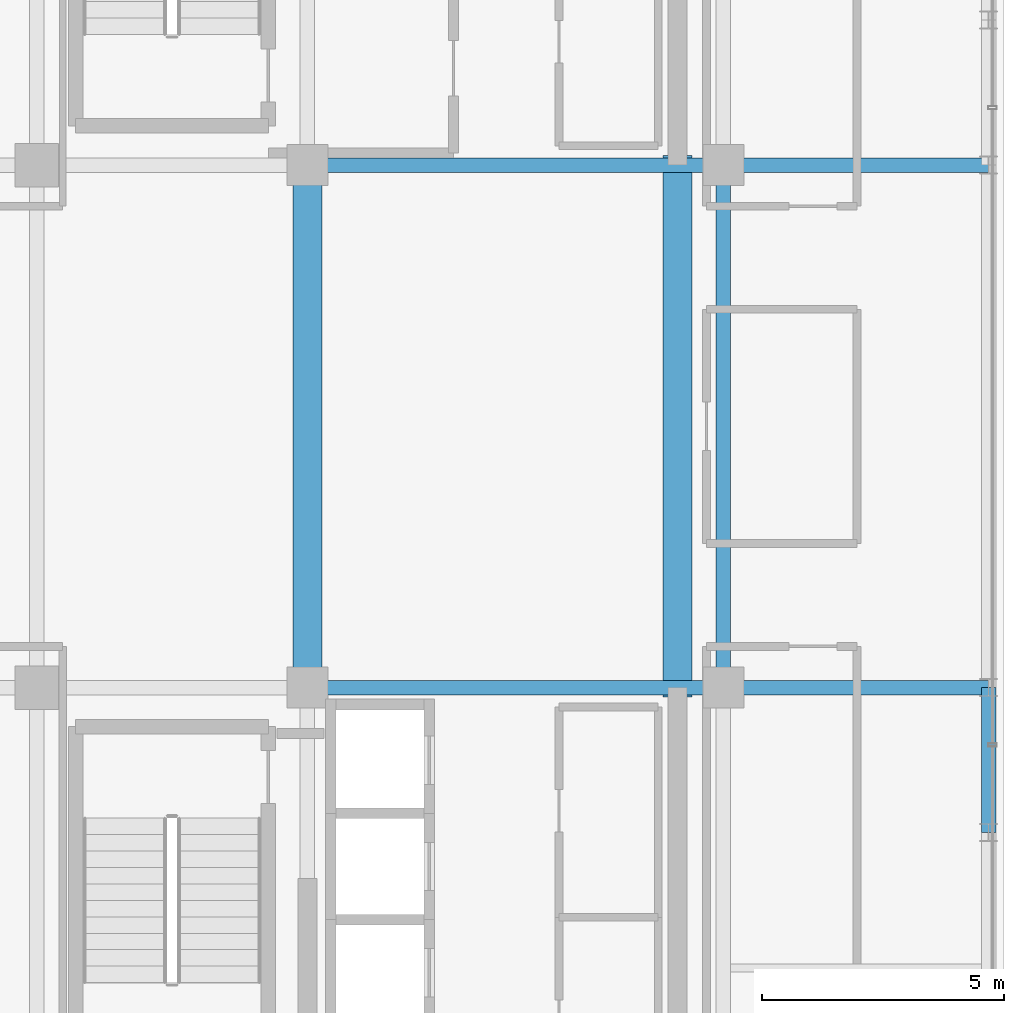
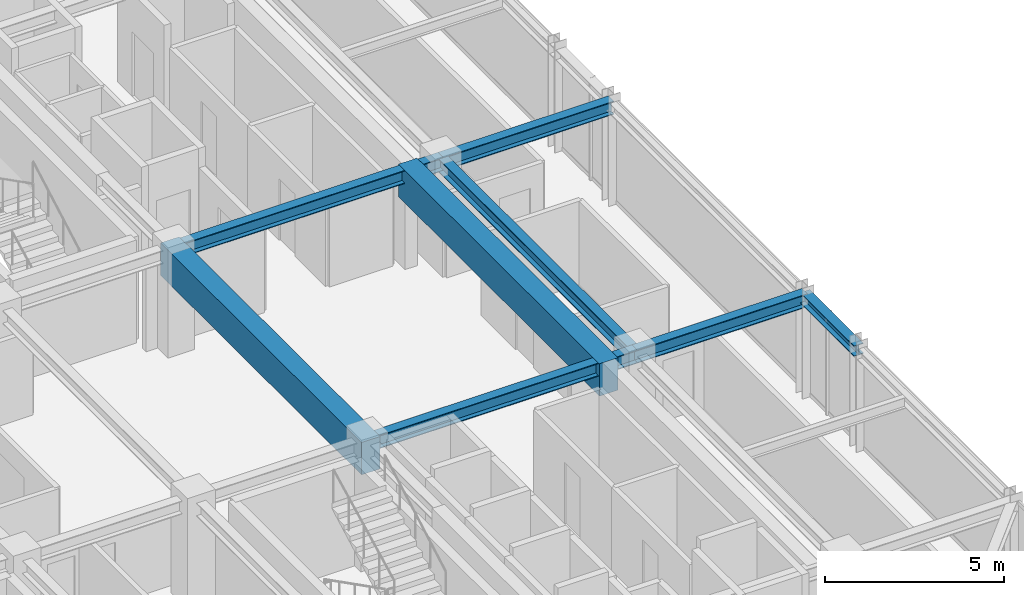
# One storey, part 15 of 31: 8 beams.
"""IFC4 building model written with IfcOpenShell, lengths in metres."""

from ifc_helpers import new_model, si_unit, direction, frame, origin, origin_2d, place, context, subcontext, project, spatial, rectangle, i_section, extrude, source, transform, mapped, material, material_profile, profile_set, type_object, element, save


model = new_model("IFC4")

# Units and contexts
model_context = context("Model", 3, precision=1e-05, world=origin(), true_north=direction((0.0, 1.0)))
body_context = subcontext(model_context, "Body", "Model", "MODEL_VIEW")
ifc_project = project(units=[si_unit("LENGTHUNIT", "METRE"), si_unit("AREAUNIT", "SQUARE_METRE"), si_unit("VOLUMEUNIT", "CUBIC_METRE"), si_unit("PLANEANGLEUNIT", "RADIAN"), si_unit("MASSUNIT", "GRAM", prefix="KILO")], contexts=[model_context])

# Site, building, storey
site_placement = place(None, origin())
site = spatial("IfcSite", under=ifc_project, at=site_placement, CompositionType="ELEMENT")
building_placement = place(site_placement, origin())
building = spatial("IfcBuilding", under=site, at=building_placement, Name="Nahalor Promenade Grand Hotel", CompositionType="ELEMENT")
storey_placement = place(building_placement, frame((0.0, 0.0, 323.35009765625)))
storey = spatial("IfcBuildingStorey", under=building, at=storey_placement, Name="L83", CompositionType="ELEMENT", Elevation=323.35009765625)

# Beams
ifc_material_1 = material(Name="Concrete B-60 (C50/60)", Category="concrete")
ifc_material_profile_1 = material_profile(ifc_material_1, rectangle(XDim=0.6, YDim=1.1, at=origin_2d()), Name="RC 600x1100")
ifc_profile_set_1 = profile_set([ifc_material_profile_1], Name="Concrete B-60 (C50/60)")
beam_type_1 = type_object("IfcBeamType", Name="Beam-Lintel-RC1100", PredefinedType="LINTEL", material=ifc_profile_set_1)
shared_shape_1 = source(origin(), body_context, "Body", "SweptSolid", [
    extrude(rectangle(XDim=0.6, YDim=1.1, at=origin_2d()), origin(), (0.0, 0.0, 1.0), 11.2001953125),
])
for number, where, z_axis, x_axis, name in (
    (1, (8.39990234375, -5.60009765625, 2.949951171875), (0.0, 1.0, 0.0), (-1.0, 0.0, 0.0), "BM-L83-LINT-W"),
    (2, (16.050048828125, -5.60009765625, 2.949951171875), (0.0, 1.0, 0.0), (-1.0, 0.0, 0.0), "BM-L83-LINT-E"),
):
    element("IfcBeam", number, at=place(storey_placement, frame(where, z_axis=z_axis, x_axis=x_axis)), inside=storey, type_object=beam_type_1, Name=name, PredefinedType="LINTEL", context=body_context, shape_type="MappedRepresentation", body=[
        mapped(shared_shape_1, transform((0.0, 0.0, 0.0), scale=1.0)),
    ])
ifc_material_2 = material(Name="Steel S355JR", Category="steel")
ifc_material_profile_2 = material_profile(ifc_material_2, i_section(OverallWidth=0.3, OverallDepth=0.45, WebThickness=0.014, FlangeThickness=0.026, at=origin_2d()), Name="HEB 450")
ifc_profile_set_2 = profile_set([ifc_material_profile_2], Name="Steel S355JR")
beam_type_2 = type_object("IfcBeamType", Name="Beam-Girder-HEB450", PredefinedType="BEAM", material=ifc_profile_set_2)
shared_shape_2 = source(origin(), body_context, "Body", "SweptSolid", [
    extrude(i_section(OverallWidth=0.3, OverallDepth=0.45, WebThickness=0.014, FlangeThickness=0.026, at=origin_2d()), origin(), (0.0, 0.0, 1.0), 8.60009765625),
])
for number, where, z_axis, x_axis, name in (
    (3, (8.39990234375, -5.39990234375, 3.27490234375), (1.0, 0.0, 0.0), (0.0, 1.0, 0.0), "BM-L83-GX-1-5"),
    (4, (8.39990234375, 5.39990234375, 3.27490234375), (1.0, 0.0, 0.0), (0.0, 1.0, 0.0), "BM-L83-GX-2-5"),
):
    element("IfcBeam", number, at=place(storey_placement, frame(where, z_axis=z_axis, x_axis=x_axis)), inside=storey, type_object=beam_type_2, Name=name, PredefinedType="BEAM", context=body_context, shape_type="MappedRepresentation", body=[
        mapped(shared_shape_2, transform((0.0, 0.0, 0.0), scale=1.0)),
    ])
shared_shape_3 = source(origin(), body_context, "Body", "SweptSolid", [
    extrude(i_section(OverallWidth=0.3, OverallDepth=0.45, WebThickness=0.014, FlangeThickness=0.026, at=origin_2d()), origin(), (0.0, 0.0, 1.0), 10.7998046875),
])
beam_1_placement = place(storey_placement, frame((17.0, -5.39990234375, 3.27490234375), z_axis=(0.0, 1.0, 0.0), x_axis=(-1.0, 0.0, 0.0)))
element("IfcBeam", 5, at=beam_1_placement, inside=storey, type_object=beam_type_2, Name="BM-L83-GY-5-2", PredefinedType="BEAM", context=body_context, shape_type="MappedRepresentation", body=[
    mapped(shared_shape_3, transform((0.0, 0.0, 0.0), scale=1.0)),
])
shared_shape_4 = source(origin(), body_context, "Body", "SweptSolid", [
    extrude(i_section(OverallWidth=0.3, OverallDepth=0.45, WebThickness=0.014, FlangeThickness=0.026, at=origin_2d()), origin(), (0.0, 0.0, 1.0), 5.47998046875),
])
for number, where, z_axis, x_axis, name in (
    (6, (17.0, -5.39990234375, 3.27490234375), (1.0, 0.0, 0.0), (0.0, 1.0, 0.0), "BM-L83-GX-1-6"),
    (7, (17.0, 5.39990234375, 3.27490234375), (1.0, 0.0, 0.0), (0.0, 1.0, 0.0), "BM-L83-GX-2-6"),
):
    element("IfcBeam", number, at=place(storey_placement, frame(where, z_axis=z_axis, x_axis=x_axis)), inside=storey, type_object=beam_type_2, Name=name, PredefinedType="BEAM", context=body_context, shape_type="MappedRepresentation", body=[
        mapped(shared_shape_4, transform((0.0, 0.0, 0.0), scale=1.0)),
    ])
ifc_material_profile_3 = material_profile(ifc_material_2, i_section(OverallWidth=0.3, OverallDepth=0.36, WebThickness=0.0125, FlangeThickness=0.0225, at=origin_2d()), Name="HEB 360")
ifc_profile_set_3 = profile_set([ifc_material_profile_3], Name="Steel S355JR")
beam_type_3 = type_object("IfcBeamType", Name="Beam-Spandrel-HEB360", PredefinedType="SPANDREL", material=ifc_profile_set_3)
shared_shape_5 = source(origin(), body_context, "Body", "SweptSolid", [
    extrude(i_section(OverallWidth=0.3, OverallDepth=0.36, WebThickness=0.0125, FlangeThickness=0.0225, at=origin_2d()), origin(), (0.0, 0.0, 1.0), 3.0),
])
beam_2_placement = place(storey_placement, frame((22.47998046875, -8.39990234375, 3.31982421875), z_axis=(0.0, 1.0, 0.0), x_axis=(-1.0, 0.0, 0.0)))
element("IfcBeam", 8, at=beam_2_placement, inside=storey, type_object=beam_type_3, Name="BM-L83-SP-E-1", PredefinedType="SPANDREL", context=body_context, shape_type="MappedRepresentation", body=[
    mapped(shared_shape_5, transform((0.0, 0.0, 0.0), scale=1.0)),
])

save(model, "model.ifc")
